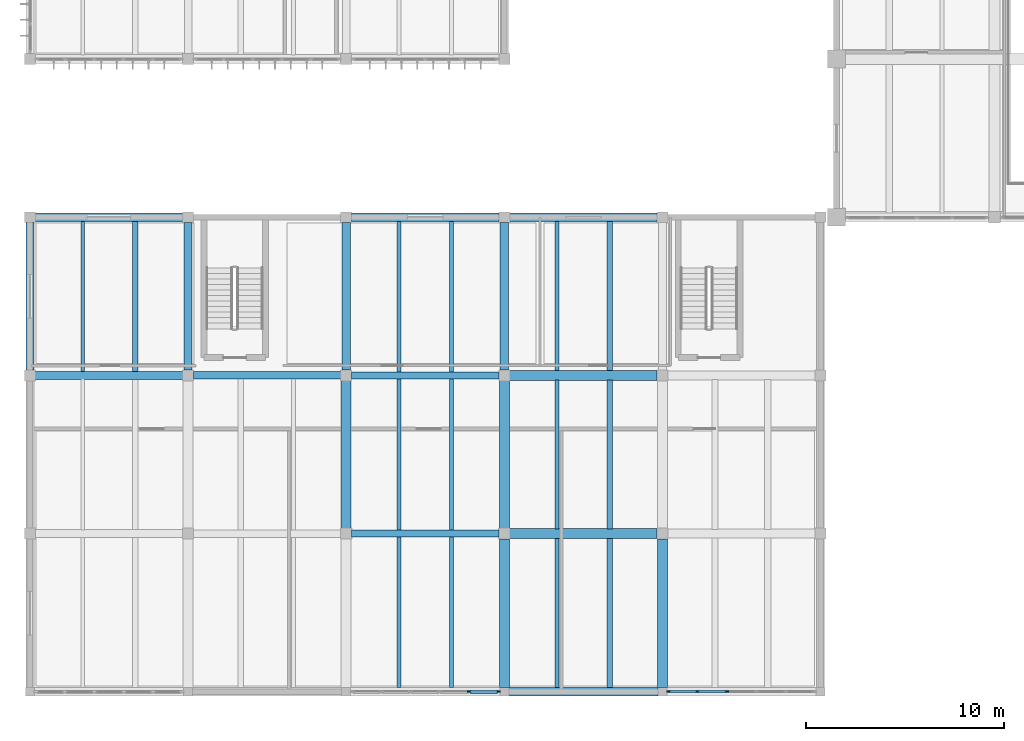
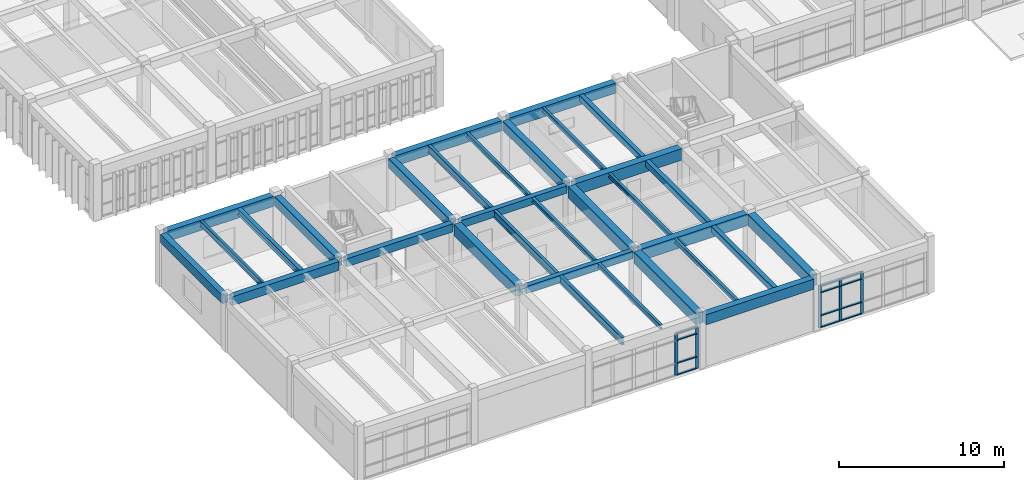
# One storey, part 4 of 67: 32 beams, 17 members, 2 elements without a shape of their own.
"""IFC4 building model written with IfcOpenShell, lengths in metres."""

import ifcopenshell
import ifcopenshell.guid

model = None  # the IFC model being written
_history = None  # IfcOwnerHistory: only IFC2X3 demands one
_inside = {}  # id of a spatial element -> (the spatial element, [elements in it])
_under = {}  # id of a project, library or spatial element -> (it, [spatial elements below it])
_declared = {}  # id of a project -> (the project, [libraries it declares])
_typed = {}  # id of a type object -> (the type object, [elements of that type])
_made_of = {}  # id of a material, layer set ... -> (it, [elements and type objects made of it])


def new_model(schema):
    """Start an empty IFC model of exactly this schema.

    Asked for "IFC4X3", IfcOpenShell would pick the latest addendum, in which some entities
    have other attributes; the version numbers below select the first issue.
    IFC2X3 requires an IfcOwnerHistory on every rooted entity: one is made here for all.
    """
    global model, _history
    if schema == "IFC4X3":
        model = ifcopenshell.file(schema_version=(4, 3, 0, 0))
    else:
        model = ifcopenshell.file(schema=schema)
    _inside.clear()
    _under.clear()
    _declared.clear()
    _typed.clear()
    _made_of.clear()
    _history = None
    if model.schema == "IFC2X3":
        org = make("IfcOrganization", Name="unknown")
        user = make(
            "IfcPersonAndOrganization",
            ThePerson=make("IfcPerson", FamilyName="unknown"),
            TheOrganization=org,
        )
        app = make(
            "IfcApplication",
            ApplicationDeveloper=org,
            Version="unknown",
            ApplicationFullName="unknown",
            ApplicationIdentifier="unknown",
        )
        _history = make(
            "IfcOwnerHistory",
            OwningUser=user,
            OwningApplication=app,
            ChangeAction="ADDED",
            CreationDate=0,
        )
    return model


def make(cls, **values):
    """One entity of the class cls with the attributes given. An attribute that is None is left unset."""
    return model.create_entity(
        cls, **{name: value for name, value in values.items() if value is not None}
    )


def rooted(cls, **values):
    """An entity with a GlobalId (a new one), such as an element, a storey or a relation."""
    return make(cls, GlobalId=ifcopenshell.guid.new(), OwnerHistory=_history, **values)


def si_unit(unit_type, name, prefix=None):
    """IfcSIUnit, for example si_unit("LENGTHUNIT", "METRE", prefix="MILLI")."""
    return make("IfcSIUnit", UnitType=unit_type, Prefix=prefix, Name=name)


def assignment(units):
    """IfcUnitAssignment: the units of a project."""
    return None if units is None else make("IfcUnitAssignment", Units=units)


def point(xyz):
    """IfcCartesianPoint."""
    return None if xyz is None else make("IfcCartesianPoint", Coordinates=xyz)


def direction(xyz):
    """IfcDirection."""
    return None if xyz is None else make("IfcDirection", DirectionRatios=xyz)


def frame(location, z_axis=None, x_axis=None):
    """IfcAxis2Placement3D, a coordinate frame: its origin and axes. An axis left out is left unset."""
    return make(
        "IfcAxis2Placement3D",
        Location=point(location),
        Axis=direction(z_axis),
        RefDirection=direction(x_axis),
    )


def frame_2d(location, x_axis=None):
    """IfcAxis2Placement2D, a coordinate frame in the plane: its origin and x axis."""
    return make(
        "IfcAxis2Placement2D", Location=point(location), RefDirection=direction(x_axis)
    )


def origin():
    """The frame at (0, 0, 0) with its axes left unset."""
    return frame((0.0, 0.0, 0.0))


def origin_2d():
    """The frame at (0, 0) in the plane with its x axis left unset."""
    return frame_2d((0.0, 0.0))


def place(relative_to, where):
    """IfcLocalPlacement: puts the frame where relative to a parent placement (None: the world)."""
    return make(
        "IfcLocalPlacement", PlacementRelTo=relative_to, RelativePlacement=where
    )


def context(
    kind, dimensions, precision=None, world=None, true_north=None, identifier=None
):
    """IfcGeometricRepresentationContext, for example the 3D "Model" context."""
    return make(
        "IfcGeometricRepresentationContext",
        ContextIdentifier=identifier,
        ContextType=kind,
        CoordinateSpaceDimension=dimensions,
        Precision=precision,
        WorldCoordinateSystem=world,
        TrueNorth=true_north,
    )


def subcontext(parent, identifier, kind, view, scale=None):
    """IfcGeometricRepresentationSubContext, for example "Body" below "Model"."""
    return make(
        "IfcGeometricRepresentationSubContext",
        ContextIdentifier=identifier,
        ContextType=kind,
        ParentContext=parent,
        TargetScale=scale,
        TargetView=view,
    )


def project(units=None, contexts=None):
    """IfcProject with its units and contexts."""
    return rooted(
        "IfcProject",
        Name="project",
        RepresentationContexts=contexts,
        UnitsInContext=assignment(units),
    )


def spatial(cls, under=None, at=None, **own):
    """A site, building, storey or space (cls), placed at a placement, below another one or the project."""
    s = rooted(cls, ObjectPlacement=at, **own)
    if under is not None:
        _under.setdefault(under.id(), (under, []))[1].append(s)
    return s


def profile(cls, at=None, kind="AREA", **sizes):
    """A parametric profile (cls). Its sizes go by their IFC names, for example OverallWidth=200.0."""
    return make(cls, ProfileType=kind, Position=at, **sizes)


def rectangle(**sizes):
    """IfcRectangleProfileDef."""
    return profile("IfcRectangleProfileDef", **sizes)


def i_section(**sizes):
    """IfcIShapeProfileDef."""
    return profile("IfcIShapeProfileDef", **sizes)


def extrude(swept, where, along, depth):
    """IfcExtrudedAreaSolid: the profile swept, set in the frame where, extruded along a direction by depth."""
    return make(
        "IfcExtrudedAreaSolid",
        SweptArea=swept,
        Position=where,
        ExtrudedDirection=direction(along),
        Depth=depth,
    )


def shape(context_of_items, identifier, shape_type, items):
    """IfcShapeRepresentation: the items that make up one representation, for example the "Body"."""
    return make(
        "IfcShapeRepresentation",
        ContextOfItems=context_of_items,
        RepresentationIdentifier=identifier,
        RepresentationType=shape_type,
        Items=items,
    )


def material(Name=None, Category=None):
    """IfcMaterial."""
    return make("IfcMaterial", Name=Name, Category=Category)


def material_profile(
    of_material, cross_section, Name=None, Category=None, Priority=None
):
    """IfcMaterialProfile: a cross section and its material."""
    return make(
        "IfcMaterialProfile",
        Name=Name,
        Material=of_material,
        Profile=cross_section,
        Priority=Priority,
        Category=Category,
    )


def profile_set(profiles, Name=None, composite=None):
    """IfcMaterialProfileSet."""
    return make(
        "IfcMaterialProfileSet",
        Name=Name,
        MaterialProfiles=profiles,
        CompositeProfile=composite,
    )


def made_of(thing, what):
    """Note that an element or type object is made of a material, layer set ...; save() writes the relation."""
    if what is not None:
        _made_of.setdefault(what.id(), (what, []))[1].append(thing)
    return thing


def type_object(cls, material=None, **own):
    """A type object (cls), such as IfcWallType, which elements share."""
    return made_of(rooted(cls, **own), material)


def element(
    cls,
    number,
    at=None,
    inside=None,
    cuts=None,
    type_object=None,
    material=None,
    context=None,
    identifier="Body",
    shape_type=None,
    held_by="IfcProductDefinitionShape",
    body=None,
    shapes=None,
    **own,
):
    """One element of the class cls, such as IfcWall. Its Tag is "e" and its number.

    at: its placement. inside: the storey or other place that contains it. cuts: it is an
    opening in that element (IfcRelVoidsElement). A single representation is given by context,
    identifier, shape_type and body (its items); several are given by shapes. held_by: the class
    of the entity that holds the representations. save() writes the other relations.
    """
    e = rooted(cls, Tag="e%d" % number, ObjectPlacement=at, **own)
    if body is not None:
        shapes = [shape(context, identifier, shape_type, body)]
    if shapes is not None:
        e.Representation = make(held_by, Representations=shapes)
    if inside is not None:
        _inside.setdefault(inside.id(), (inside, []))[1].append(e)
    if cuts is not None:
        rooted(
            "IfcRelVoidsElement", RelatingBuildingElement=cuts, RelatedOpeningElement=e
        )
    if type_object is not None:
        _typed.setdefault(type_object.id(), (type_object, []))[1].append(e)
    return made_of(e, material)


def aggregate(whole, parts):
    """IfcRelAggregates: a whole, such as a stair, and the parts it consists of."""
    return rooted("IfcRelAggregates", RelatingObject=whole, RelatedObjects=parts)


def save(model, path):
    """Write the relations noted so far, then the file.

    IfcRelAggregates (storeys below a building ...), IfcRelContainedInSpatialStructure (elements
    in a storey), IfcRelDefinesByType, IfcRelAssociatesMaterial and IfcRelDeclares: one each for
    every whole, place, type object, material and project.
    """
    for whole, parts in _under.values():
        aggregate(whole, parts)
    for where, things in _inside.values():
        rooted(
            "IfcRelContainedInSpatialStructure",
            RelatedElements=things,
            RelatingStructure=where,
        )
    for kind, things in _typed.values():
        rooted("IfcRelDefinesByType", RelatedObjects=things, RelatingType=kind)
    for what, things in _made_of.values():
        rooted("IfcRelAssociatesMaterial", RelatedObjects=things, RelatingMaterial=what)
    for by, libraries in _declared.values():
        rooted("IfcRelDeclares", RelatingContext=by, RelatedDefinitions=libraries)
    model.write(path)


model = new_model("IFC4")

# Units and contexts
model_context = context("Model", 3, precision=1e-05, world=origin(), true_north=direction((0.0, 1.0)))
body_context = subcontext(model_context, "Body", "Model", "MODEL_VIEW")
ifc_project = project(units=[si_unit("LENGTHUNIT", "METRE"), si_unit("AREAUNIT", "SQUARE_METRE"), si_unit("VOLUMEUNIT", "CUBIC_METRE"), si_unit("PLANEANGLEUNIT", "RADIAN"), si_unit("MASSUNIT", "GRAM", prefix="KILO")], contexts=[model_context])

# Site, building, storey
site_placement = place(None, origin())
site = spatial("IfcSite", under=ifc_project, at=site_placement, CompositionType="ELEMENT")
building_placement = place(site_placement, origin())
building = spatial("IfcBuilding", under=site, at=building_placement, Name="Tlaxcora Railside Police Headquarters", CompositionType="ELEMENT")
storey_placement = place(building_placement, frame((0.0, 0.0, 4.800048828125)))
storey = spatial("IfcBuildingStorey", under=building, at=storey_placement, Name="L01", CompositionType="ELEMENT", Elevation=4.800048828125)

# Curtain wall, members
ifc_material_1 = material(Name="Thermally broken low-E insulated glazing", Category="glass")
curtain_wall_type_1 = type_object("IfcCurtainWallType", Name="Unitised Curtain Wall Assembly CW-38", PredefinedType="NOTDEFINED", material=ifc_material_1)
curtain_wall_1_placement = place(storey_placement, origin())
curtain_wall_1 = element("IfcCurtainWall", 1, at=curtain_wall_1_placement, inside=storey, type_object=curtain_wall_type_1, Name="V4 L01 curtain wall 25", PredefinedType="NOTDEFINED")
ifc_material_2 = material(Name="Anodised aluminium framing", Category="aluminium")
ifc_material_profile_1 = material_profile(ifc_material_2, rectangle(XDim=0.074951171875, YDim=0.205078125, at=origin_2d()), Name="AL75X205")
ifc_profile_set_1 = profile_set([ifc_material_profile_1], Name="Anodised aluminium framing")
member_type_1 = type_object("IfcMemberType", Name="Curtain Wall Mullion CW-32", PredefinedType="MULLION", material=ifc_profile_set_1)
member_1_placement = place(storey_placement, frame((27.43505859375, 12.0, 0.0), z_axis=(0.0, 0.0, 1.0), x_axis=(0.0, 1.0, 0.0)))
member_1 = element("IfcMember", 2, at=member_1_placement, type_object=member_type_1, Name="CW mullion 5", PredefinedType="MULLION", context=body_context, shape_type="SweptSolid", body=[
    extrude(rectangle(XDim=0.074951171875, YDim=0.205078125, at=origin_2d()), origin(), (0.0, 0.0, 1.0), 3.139892578125),
])
member_2_placement = place(storey_placement, frame((28.887451171875, 12.0, 0.0), z_axis=(0.0, 0.0, 1.0), x_axis=(0.0, 1.0, 0.0)))
member_2 = element("IfcMember", 3, at=member_2_placement, type_object=member_type_1, Name="CW mullion 6", PredefinedType="MULLION", context=body_context, shape_type="SweptSolid", body=[
    extrude(rectangle(XDim=0.074951171875, YDim=0.205078125, at=origin_2d()), origin(), (0.0, 0.0, 1.0), 3.139892578125),
])

curtain_wall_type_2 = type_object("IfcCurtainWallType", Name="Unitised Curtain Wall Assembly CW-15", PredefinedType="NOTDEFINED", material=ifc_material_1)
curtain_wall_2_placement = place(storey_placement, origin())
curtain_wall_2 = element("IfcCurtainWall", 4, at=curtain_wall_2_placement, inside=storey, type_object=curtain_wall_type_2, Name="V4 L01 curtain wall 26", PredefinedType="NOTDEFINED")
ifc_material_profile_2 = material_profile(ifc_material_2, rectangle(XDim=0.074951171875, YDim=0.199951171875, at=origin_2d()), Name="AL75X200")
ifc_profile_set_2 = profile_set([ifc_material_profile_2], Name="Anodised aluminium framing")
member_type_2 = type_object("IfcMemberType", Name="Curtain Wall Mullion CW-58", PredefinedType="MULLION", material=ifc_profile_set_2)
member_3_placement = place(storey_placement, frame((37.512451171875, 12.0, 0.0), z_axis=(0.0, 0.0, 1.0), x_axis=(0.0, 1.0, 0.0)))
member_3 = element("IfcMember", 5, at=member_3_placement, type_object=member_type_2, Name="CW mullion 1", PredefinedType="MULLION", context=body_context, shape_type="SweptSolid", body=[
    extrude(rectangle(XDim=0.074951171875, YDim=0.199951171875, at=origin_2d()), origin(), (0.0, 0.0, 1.0), 3.139892578125),
])
member_4_placement = place(storey_placement, frame((38.965087890625, 12.0, 0.0), z_axis=(0.0, 0.0, 1.0), x_axis=(0.0, 1.0, 0.0)))
member_4 = element("IfcMember", 6, at=member_4_placement, type_object=member_type_2, Name="CW mullion 2", PredefinedType="MULLION", context=body_context, shape_type="SweptSolid", body=[
    extrude(rectangle(XDim=0.074951171875, YDim=0.199951171875, at=origin_2d()), origin(), (0.0, 0.0, 1.0), 3.139892578125),
])
member_5_placement = place(storey_placement, frame((40.455078125, 12.0, 0.0), z_axis=(0.0, 0.0, 1.0), x_axis=(0.0, 1.0, 0.0)))
member_5 = element("IfcMember", 7, at=member_5_placement, type_object=member_type_2, Name="CW mullion 3", PredefinedType="MULLION", context=body_context, shape_type="SweptSolid", body=[
    extrude(rectangle(XDim=0.074951171875, YDim=0.199951171875, at=origin_2d()), origin(), (0.0, 0.0, 1.0), 3.139892578125),
])
ifc_material_profile_3 = material_profile(ifc_material_2, rectangle(XDim=0.14990234375, YDim=0.074951171875, at=origin_2d()), Name="AL75X150")
ifc_profile_set_3 = profile_set([ifc_material_profile_3], Name="Anodised aluminium framing")
member_type_3 = type_object("IfcMemberType", Name="Curtain Wall Transom CW-28", PredefinedType="USERDEFINED", material=ifc_profile_set_3)
member_6_placement = place(storey_placement, frame((37.550048828125, 12.0, 0.037353515625), z_axis=(1.0, 0.0, 0.0), x_axis=(0.0, 1.0, 0.0)))
member_6 = element("IfcMember", 8, at=member_6_placement, type_object=member_type_3, Name="CW transom 1.1", ObjectType="TRANSOM", PredefinedType="USERDEFINED", context=body_context, shape_type="SweptSolid", body=[
    extrude(rectangle(XDim=0.14990234375, YDim=0.074951171875, at=origin_2d()), origin(), (0.0, 0.0, 1.0), 1.37744140625),
])
member_7_placement = place(storey_placement, frame((37.550048828125, 12.0, 0.89990234375), z_axis=(1.0, 0.0, 0.0), x_axis=(0.0, 1.0, 0.0)))
member_7 = element("IfcMember", 9, at=member_7_placement, type_object=member_type_3, Name="CW transom 1.2", ObjectType="TRANSOM", PredefinedType="USERDEFINED", context=body_context, shape_type="SweptSolid", body=[
    extrude(rectangle(XDim=0.14990234375, YDim=0.074951171875, at=origin_2d()), origin(), (0.0, 0.0, 1.0), 1.37744140625),
])
member_8_placement = place(storey_placement, frame((37.550048828125, 12.0, 2.60986328125), z_axis=(1.0, 0.0, 0.0), x_axis=(0.0, 1.0, 0.0)))
member_8 = element("IfcMember", 10, at=member_8_placement, type_object=member_type_3, Name="CW transom 1.3", ObjectType="TRANSOM", PredefinedType="USERDEFINED", context=body_context, shape_type="SweptSolid", body=[
    extrude(rectangle(XDim=0.14990234375, YDim=0.074951171875, at=origin_2d()), origin(), (0.0, 0.0, 1.0), 1.37744140625),
])
member_9_placement = place(storey_placement, frame((37.550048828125, 12.0, 3.1025390625), z_axis=(1.0, 0.0, 0.0), x_axis=(0.0, 1.0, 0.0)))
member_9 = element("IfcMember", 11, at=member_9_placement, type_object=member_type_3, Name="CW transom 1.4", ObjectType="TRANSOM", PredefinedType="USERDEFINED", context=body_context, shape_type="SweptSolid", body=[
    extrude(rectangle(XDim=0.14990234375, YDim=0.074951171875, at=origin_2d()), origin(), (0.0, 0.0, 1.0), 1.37744140625),
])
member_10_placement = place(storey_placement, frame((39.00244140625, 12.0, 0.037353515625), z_axis=(1.0, 0.0, 0.0), x_axis=(0.0, 1.0, 0.0)))
member_10 = element("IfcMember", 12, at=member_10_placement, type_object=member_type_3, Name="CW transom 2.1", ObjectType="TRANSOM", PredefinedType="USERDEFINED", context=body_context, shape_type="SweptSolid", body=[
    extrude(rectangle(XDim=0.14990234375, YDim=0.074951171875, at=origin_2d()), origin(), (0.0, 0.0, 1.0), 1.4150390625),
])
member_11_placement = place(storey_placement, frame((39.00244140625, 12.0, 0.89990234375), z_axis=(1.0, 0.0, 0.0), x_axis=(0.0, 1.0, 0.0)))
member_11 = element("IfcMember", 13, at=member_11_placement, type_object=member_type_3, Name="CW transom 2.2", ObjectType="TRANSOM", PredefinedType="USERDEFINED", context=body_context, shape_type="SweptSolid", body=[
    extrude(rectangle(XDim=0.14990234375, YDim=0.074951171875, at=origin_2d()), origin(), (0.0, 0.0, 1.0), 1.4150390625),
])
member_12_placement = place(storey_placement, frame((39.00244140625, 12.0, 2.60986328125), z_axis=(1.0, 0.0, 0.0), x_axis=(0.0, 1.0, 0.0)))
member_12 = element("IfcMember", 14, at=member_12_placement, type_object=member_type_3, Name="CW transom 2.3", ObjectType="TRANSOM", PredefinedType="USERDEFINED", context=body_context, shape_type="SweptSolid", body=[
    extrude(rectangle(XDim=0.14990234375, YDim=0.074951171875, at=origin_2d()), origin(), (0.0, 0.0, 1.0), 1.4150390625),
])
member_13_placement = place(storey_placement, frame((39.00244140625, 12.0, 3.1025390625), z_axis=(1.0, 0.0, 0.0), x_axis=(0.0, 1.0, 0.0)))
member_13 = element("IfcMember", 15, at=member_13_placement, type_object=member_type_3, Name="CW transom 2.4", ObjectType="TRANSOM", PredefinedType="USERDEFINED", context=body_context, shape_type="SweptSolid", body=[
    extrude(rectangle(XDim=0.14990234375, YDim=0.074951171875, at=origin_2d()), origin(), (0.0, 0.0, 1.0), 1.4150390625),
])
aggregate(curtain_wall_2, [member_3, member_4, member_5, member_6, member_7, member_8, member_9, member_10, member_11, member_12, member_13])

# Member
ifc_material_profile_4 = material_profile(ifc_material_2, rectangle(XDim=0.155029296875, YDim=0.074951171875, at=origin_2d()), Name="AL75X155")
ifc_profile_set_4 = profile_set([ifc_material_profile_4], Name="Anodised aluminium framing")
member_type_4 = type_object("IfcMemberType", Name="Curtain Wall Transom CW-30", PredefinedType="USERDEFINED", material=ifc_profile_set_4)
member_14_placement = place(storey_placement, frame((27.472412109375, 12.0, 0.037353515625), z_axis=(1.0, 0.0, 0.0), x_axis=(0.0, 1.0, 0.0)))
member_14 = element("IfcMember", 16, at=member_14_placement, type_object=member_type_4, Name="CW transom 5.1", ObjectType="TRANSOM", PredefinedType="USERDEFINED", context=body_context, shape_type="SweptSolid", body=[
    extrude(rectangle(XDim=0.155029296875, YDim=0.074951171875, at=origin_2d()), origin(), (0.0, 0.0, 1.0), 1.377685546875),
])

member_15_placement = place(storey_placement, frame((27.472412109375, 12.0, 0.89990234375), z_axis=(1.0, 0.0, 0.0), x_axis=(0.0, 1.0, 0.0)))
member_15 = element("IfcMember", 17, at=member_15_placement, type_object=member_type_4, Name="CW transom 5.2", ObjectType="TRANSOM", PredefinedType="USERDEFINED", context=body_context, shape_type="SweptSolid", body=[
    extrude(rectangle(XDim=0.155029296875, YDim=0.074951171875, at=origin_2d()), origin(), (0.0, 0.0, 1.0), 1.377685546875),
])

member_16_placement = place(storey_placement, frame((27.472412109375, 12.0, 2.60986328125), z_axis=(1.0, 0.0, 0.0), x_axis=(0.0, 1.0, 0.0)))
member_16 = element("IfcMember", 18, at=member_16_placement, type_object=member_type_4, Name="CW transom 5.3", ObjectType="TRANSOM", PredefinedType="USERDEFINED", context=body_context, shape_type="SweptSolid", body=[
    extrude(rectangle(XDim=0.155029296875, YDim=0.074951171875, at=origin_2d()), origin(), (0.0, 0.0, 1.0), 1.377685546875),
])

member_17_placement = place(storey_placement, frame((27.472412109375, 12.0, 3.1025390625), z_axis=(1.0, 0.0, 0.0), x_axis=(0.0, 1.0, 0.0)))
member_17 = element("IfcMember", 19, at=member_17_placement, type_object=member_type_4, Name="CW transom 5.4", ObjectType="TRANSOM", PredefinedType="USERDEFINED", context=body_context, shape_type="SweptSolid", body=[
    extrude(rectangle(XDim=0.155029296875, YDim=0.074951171875, at=origin_2d()), origin(), (0.0, 0.0, 1.0), 1.377685546875),
])

aggregate(curtain_wall_1, [member_1, member_2, member_14, member_15, member_16, member_17])

# Beams
ifc_material_3 = material(Name="Concrete C40/50", Category="concrete")
ifc_material_profile_5 = material_profile(ifc_material_3, rectangle(XDim=0.39990234375, YDim=0.64990234375, at=origin_2d()), Name="RC400X650")
ifc_profile_set_5 = profile_set([ifc_material_profile_5], Name="Concrete C40/50")
beam_type_1 = type_object("IfcBeamType", Name="Perimeter Spandrel Beam BM-46", PredefinedType="SPANDREL", material=ifc_profile_set_5)
beam_1_placement = place(storey_placement, frame((5.199951171875, 28.264892578125, 3.5849609375), z_axis=(0.0, 1.0, 0.0), x_axis=(-1.0, 0.0, 0.0)))
element("IfcBeam", 20, at=beam_1_placement, inside=storey, type_object=beam_type_1, Name="V4 L01 Y-girder X=5.2", PredefinedType="SPANDREL", context=body_context, shape_type="SweptSolid", body=[
    extrude(rectangle(XDim=0.39990234375, YDim=0.64990234375, at=origin_2d()), origin(), (0.0, 0.0, 1.0), 7.47021484375),
])
ifc_material_profile_6 = material_profile(ifc_material_3, rectangle(XDim=0.449951171875, YDim=0.75, at=origin_2d()), Name="RC450X750")
ifc_profile_set_6 = profile_set([ifc_material_profile_6], Name="Concrete C40/50")
beam_type_2 = type_object("IfcBeamType", Name="Perimeter Spandrel Beam BM-86", PredefinedType="SPANDREL", material=ifc_profile_set_6)
beam_2_placement = place(storey_placement, frame((29.4150390625, 12.0, 3.534912109375), z_axis=(1.0, 0.0, 0.0), x_axis=(0.0, 1.0, 0.0)))
element("IfcBeam", 21, at=beam_2_placement, inside=storey, type_object=beam_type_2, Name="V4 L01 X-girder Y=12.0", PredefinedType="SPANDREL", context=body_context, shape_type="SweptSolid", body=[
    extrude(rectangle(XDim=0.449951171875, YDim=0.75, at=origin_2d()), origin(), (0.0, 0.0, 1.0), 7.570068359375),
])
for number, where, z_axis, x_axis, name in (
    (22, (5.465087890625, 36.0, 3.534912109375), (1.0, 0.0, 0.0), (0.0, 1.0, 0.0), "V4 L01 X-girder Y=36.0"),
    (23, (21.465087890625, 36.0, 3.534912109375), (1.0, 0.0, 0.0), (0.0, 1.0, 0.0), "V4 L01 X-girder Y=36.0"),
    (24, (29.465087890625, 36.0, 3.534912109375), (1.0, 0.0, 0.0), (0.0, 1.0, 0.0), "V4 L01 X-girder Y=36.0"),
):
    element("IfcBeam", number, at=place(storey_placement, frame(where, z_axis=z_axis, x_axis=x_axis)), inside=storey, type_object=beam_type_2, Name=name, PredefinedType="SPANDREL", context=body_context, shape_type="SweptSolid", body=[
        extrude(rectangle(XDim=0.449951171875, YDim=0.75, at=origin_2d()), origin(), (0.0, 0.0, 1.0), 7.469970703125),
    ])
ifc_material_profile_7 = material_profile(ifc_material_3, rectangle(XDim=0.3798828125, YDim=0.60009765625, at=origin_2d()), Name="RC380X600")
ifc_profile_set_7 = profile_set([ifc_material_profile_7], Name="Concrete C40/50")
beam_type_3 = type_object("IfcBeamType", Name="Primary Frame Girder BM-22", PredefinedType="BEAM", material=ifc_profile_set_7)
beam_3_placement = place(storey_placement, frame((13.465087890625, 28.0, 3.60986328125), z_axis=(1.0, 0.0, 0.0), x_axis=(0.0, 1.0, 0.0)))
element("IfcBeam", 25, at=beam_3_placement, inside=storey, type_object=beam_type_3, Name="V4 L01 X-girder Y=28.0", PredefinedType="BEAM", context=body_context, shape_type="SweptSolid", body=[
    extrude(rectangle(XDim=0.3798828125, YDim=0.60009765625, at=origin_2d()), origin(), (0.0, 0.0, 1.0), 7.469970703125),
])
ifc_material_profile_8 = material_profile(ifc_material_3, rectangle(XDim=0.419921875, YDim=0.699951171875, at=origin_2d()), Name="RC420X700")
ifc_profile_set_8 = profile_set([ifc_material_profile_8], Name="Concrete C40/50")
beam_type_4 = type_object("IfcBeamType", Name="Primary Frame Girder BM-35", PredefinedType="BEAM", material=ifc_profile_set_8)
for number, where, z_axis, x_axis, name in (
    (26, (13.199951171875, 28.264892578125, 3.56005859375), (0.0, 1.0, 0.0), (-1.0, 0.0, 0.0), "V4 L01 Y-girder X=13.2"),
    (27, (21.199951171875, 28.264892578125, 3.56005859375), (0.0, 1.0, 0.0), (-1.0, 0.0, 0.0), "V4 L01 Y-girder X=21.2"),
    (28, (29.199951171875, 28.264892578125, 3.56005859375), (0.0, 1.0, 0.0), (-1.0, 0.0, 0.0), "V4 L01 Y-girder X=29.2"),
):
    element("IfcBeam", number, at=place(storey_placement, frame(where, z_axis=z_axis, x_axis=x_axis)), inside=storey, type_object=beam_type_4, Name=name, PredefinedType="BEAM", context=body_context, shape_type="SweptSolid", body=[
        extrude(rectangle(XDim=0.419921875, YDim=0.699951171875, at=origin_2d()), origin(), (0.0, 0.0, 1.0), 7.47021484375),
    ])
ifc_material_profile_9 = material_profile(ifc_material_3, rectangle(XDim=0.35009765625, YDim=0.550048828125, at=origin_2d()), Name="RC350X550")
ifc_profile_set_9 = profile_set([ifc_material_profile_9], Name="Concrete C40/50")
beam_type_5 = type_object("IfcBeamType", Name="Primary Frame Girder BM-39", PredefinedType="BEAM", material=ifc_profile_set_9)
for number, where, z_axis, x_axis, name in (
    (29, (21.465087890625, 20.0, 3.635009765625), (1.0, 0.0, 0.0), (0.0, 1.0, 0.0), "V4 L01 X-girder Y=20.0"),
    (30, (21.465087890625, 28.0, 3.635009765625), (1.0, 0.0, 0.0), (0.0, 1.0, 0.0), "V4 L01 X-girder Y=28.0"),
):
    element("IfcBeam", number, at=place(storey_placement, frame(where, z_axis=z_axis, x_axis=x_axis)), inside=storey, type_object=beam_type_5, Name=name, PredefinedType="BEAM", context=body_context, shape_type="SweptSolid", body=[
        extrude(rectangle(XDim=0.35009765625, YDim=0.550048828125, at=origin_2d()), origin(), (0.0, 0.0, 1.0), 7.469970703125),
    ])
ifc_material_profile_10 = material_profile(ifc_material_3, rectangle(XDim=0.39990234375, YDim=0.64990234375, at=origin_2d()), Name="RC400X650")
ifc_profile_set_10 = profile_set([ifc_material_profile_10], Name="Concrete C40/50")
beam_type_6 = type_object("IfcBeamType", Name="Primary Frame Girder BM-41", PredefinedType="BEAM", material=ifc_profile_set_10)
beam_4_placement = place(storey_placement, frame((5.465087890625, 28.0, 3.5849609375), z_axis=(1.0, 0.0, 0.0), x_axis=(0.0, 1.0, 0.0)))
element("IfcBeam", 31, at=beam_4_placement, inside=storey, type_object=beam_type_6, Name="V4 L01 X-girder Y=28.0", PredefinedType="BEAM", context=body_context, shape_type="SweptSolid", body=[
    extrude(rectangle(XDim=0.39990234375, YDim=0.64990234375, at=origin_2d()), origin(), (0.0, 0.0, 1.0), 7.469970703125),
])
ifc_material_profile_11 = material_profile(ifc_material_3, rectangle(XDim=0.5, YDim=0.85009765625, at=origin_2d()), Name="RC500X850")
ifc_profile_set_11 = profile_set([ifc_material_profile_11], Name="Concrete C40/50")
beam_type_7 = type_object("IfcBeamType", Name="Primary Frame Girder BM-64", PredefinedType="BEAM", material=ifc_profile_set_11)
for number, where, z_axis, x_axis, name in (
    (32, (29.465087890625, 20.0, 3.48486328125), (1.0, 0.0, 0.0), (0.0, 1.0, 0.0), "V4 L01 X-girder Y=20.0"),
    (33, (29.465087890625, 28.0, 3.48486328125), (1.0, 0.0, 0.0), (0.0, 1.0, 0.0), "V4 L01 X-girder Y=28.0"),
):
    element("IfcBeam", number, at=place(storey_placement, frame(where, z_axis=z_axis, x_axis=x_axis)), inside=storey, type_object=beam_type_7, Name=name, PredefinedType="BEAM", context=body_context, shape_type="SweptSolid", body=[
        extrude(rectangle(XDim=0.5, YDim=0.85009765625, at=origin_2d()), origin(), (0.0, 0.0, 1.0), 7.469970703125),
    ])
beam_5_placement = place(storey_placement, frame((21.199951171875, 20.264892578125, 3.48486328125), z_axis=(0.0, 1.0, 0.0), x_axis=(-1.0, 0.0, 0.0)))
element("IfcBeam", 34, at=beam_5_placement, inside=storey, type_object=beam_type_7, Name="V4 L01 Y-girder X=21.2", PredefinedType="BEAM", context=body_context, shape_type="SweptSolid", body=[
    extrude(rectangle(XDim=0.5, YDim=0.85009765625, at=origin_2d()), origin(), (0.0, 0.0, 1.0), 7.47021484375),
])
beam_6_placement = place(storey_placement, frame((29.199951171875, 12.215087890625, 3.48486328125), z_axis=(0.0, 1.0, 0.0), x_axis=(-1.0, 0.0, 0.0)))
element("IfcBeam", 35, at=beam_6_placement, inside=storey, type_object=beam_type_7, Name="V4 L01 Y-girder X=29.2", PredefinedType="BEAM", context=body_context, shape_type="SweptSolid", body=[
    extrude(rectangle(XDim=0.5, YDim=0.85009765625, at=origin_2d()), origin(), (0.0, 0.0, 1.0), 7.52001953125),
])
beam_7_placement = place(storey_placement, frame((29.199951171875, 20.264892578125, 3.48486328125), z_axis=(0.0, 1.0, 0.0), x_axis=(-1.0, 0.0, 0.0)))
element("IfcBeam", 36, at=beam_7_placement, inside=storey, type_object=beam_type_7, Name="V4 L01 Y-girder X=29.2", PredefinedType="BEAM", context=body_context, shape_type="SweptSolid", body=[
    extrude(rectangle(XDim=0.5, YDim=0.85009765625, at=origin_2d()), origin(), (0.0, 0.0, 1.0), 7.47021484375),
])
beam_8_placement = place(storey_placement, frame((37.199951171875, 12.215087890625, 3.48486328125), z_axis=(0.0, 1.0, 0.0), x_axis=(-1.0, 0.0, 0.0)))
element("IfcBeam", 37, at=beam_8_placement, inside=storey, type_object=beam_type_7, Name="V4 L01 Y-girder X=37.2", PredefinedType="BEAM", context=body_context, shape_type="SweptSolid", body=[
    extrude(rectangle(XDim=0.5, YDim=0.85009765625, at=origin_2d()), origin(), (0.0, 0.0, 1.0), 7.52001953125),
])
ifc_material_4 = material(Name="Concrete C35/45", Category="concrete")
ifc_material_profile_12 = material_profile(ifc_material_4, rectangle(XDim=0.300048828125, YDim=0.449951171875, at=origin_2d()), Name="RC300X450")
ifc_profile_set_12 = profile_set([ifc_material_profile_12], Name="Concrete C35/45")
beam_type_8 = type_object("IfcBeamType", Name="Secondary Floor Joist BM-27", PredefinedType="JOIST", material=ifc_profile_set_12)
beam_9_placement = place(storey_placement, frame((34.533203125, 12.217041015625, 3.68505859375), z_axis=(0.0, 1.0, 0.0), x_axis=(-1.0, 0.0, 0.0)))
element("IfcBeam", 38, at=beam_9_placement, inside=storey, type_object=beam_type_8, Name="V4 L01 floor joist X=34.53", PredefinedType="JOIST", context=body_context, shape_type="SweptSolid", body=[
    extrude(rectangle(XDim=0.300048828125, YDim=0.449951171875, at=origin_2d()), origin(), (0.0, 0.0, 1.0), 7.541015625),
])
beam_10_placement = place(storey_placement, frame((34.533203125, 20.241943359375, 3.68505859375), z_axis=(0.0, 1.0, 0.0), x_axis=(-1.0, 0.0, 0.0)))
element("IfcBeam", 39, at=beam_10_placement, inside=storey, type_object=beam_type_8, Name="V4 L01 floor joist X=34.53", PredefinedType="JOIST", context=body_context, shape_type="SweptSolid", body=[
    extrude(rectangle(XDim=0.300048828125, YDim=0.449951171875, at=origin_2d()), origin(), (0.0, 0.0, 1.0), 7.51611328125),
])
beam_11_placement = place(storey_placement, frame((34.533203125, 28.241943359375, 3.68505859375), z_axis=(0.0, 1.0, 0.0), x_axis=(-1.0, 0.0, 0.0)))
element("IfcBeam", 40, at=beam_11_placement, inside=storey, type_object=beam_type_8, Name="V4 L01 floor joist X=34.53", PredefinedType="JOIST", context=body_context, shape_type="SweptSolid", body=[
    extrude(rectangle(XDim=0.300048828125, YDim=0.449951171875, at=origin_2d()), origin(), (0.0, 0.0, 1.0), 7.541015625),
])
ifc_material_5 = material(Name="Steel ASTM A992 Grade 50", Category="steel")
ifc_material_profile_13 = material_profile(ifc_material_5, i_section(OverallWidth=0.280029296875, OverallDepth=0.4619140625, WebThickness=0.0107421875, FlangeThickness=0.017333984375, at=origin_2d()), Name="W18X76")
ifc_profile_set_13 = profile_set([ifc_material_profile_13], Name="Steel ASTM A992 Grade 50")
beam_type_9 = type_object("IfcBeamType", Name="Secondary Floor Joist BM-44", PredefinedType="JOIST", material=ifc_profile_set_13)
beam_12_placement = place(storey_placement, frame((10.533203125, 28.19189453125, 3.678955078125), z_axis=(0.0, 1.0, 0.0), x_axis=(-1.0, 0.0, 0.0)))
element("IfcBeam", 41, at=beam_12_placement, inside=storey, type_object=beam_type_9, Name="V4 L01 floor joist X=10.53", PredefinedType="JOIST", context=body_context, shape_type="SweptSolid", body=[
    extrude(i_section(OverallWidth=0.280029296875, OverallDepth=0.4619140625, WebThickness=0.0107421875, FlangeThickness=0.017333984375, at=origin_2d()), origin(), (0.0, 0.0, 1.0), 7.591064453125),
])
ifc_material_profile_14 = material_profile(ifc_material_5, i_section(OverallWidth=0.180908203125, OverallDepth=0.4169921875, WebThickness=0.010009765625, FlangeThickness=0.018310546875, at=origin_2d()), Name="W16X57")
ifc_profile_set_14 = profile_set([ifc_material_profile_14], Name="Steel ASTM A992 Grade 50")
beam_type_10 = type_object("IfcBeamType", Name="Secondary Floor Joist BM-84", PredefinedType="JOIST", material=ifc_profile_set_14)
beam_13_placement = place(storey_placement, frame((7.86669921875, 28.19189453125, 3.701416015625), z_axis=(0.0, 1.0, 0.0), x_axis=(-1.0, 0.0, 0.0)))
element("IfcBeam", 42, at=beam_13_placement, inside=storey, type_object=beam_type_10, Name="V4 L01 floor joist X=7.87", PredefinedType="JOIST", context=body_context, shape_type="SweptSolid", body=[
    extrude(i_section(OverallWidth=0.180908203125, OverallDepth=0.4169921875, WebThickness=0.010009765625, FlangeThickness=0.018310546875, at=origin_2d()), origin(), (0.0, 0.0, 1.0), 7.591064453125),
])
ifc_material_profile_15 = material_profile(ifc_material_5, i_section(OverallWidth=0.202880859375, OverallDepth=0.302978515625, WebThickness=0.007568359375, FlangeThickness=0.01318359375, at=origin_2d()), Name="W12X40")
ifc_profile_set_15 = profile_set([ifc_material_profile_15], Name="Steel ASTM A992 Grade 50")
beam_type_11 = type_object("IfcBeamType", Name="Secondary Floor Joist BM-96", PredefinedType="JOIST", material=ifc_profile_set_15)
beam_14_placement = place(storey_placement, frame((26.533203125, 12.217041015625, 3.758544921875), z_axis=(0.0, 1.0, 0.0), x_axis=(-1.0, 0.0, 0.0)))
element("IfcBeam", 43, at=beam_14_placement, inside=storey, type_object=beam_type_11, Name="V4 L01 floor joist X=26.53", PredefinedType="JOIST", context=body_context, shape_type="SweptSolid", body=[
    extrude(i_section(OverallWidth=0.202880859375, OverallDepth=0.302978515625, WebThickness=0.007568359375, FlangeThickness=0.01318359375, at=origin_2d()), origin(), (0.0, 0.0, 1.0), 7.615966796875),
])
beam_15_placement = place(storey_placement, frame((31.86669921875, 12.217041015625, 3.758544921875), z_axis=(0.0, 1.0, 0.0), x_axis=(-1.0, 0.0, 0.0)))
element("IfcBeam", 44, at=beam_15_placement, inside=storey, type_object=beam_type_11, Name="V4 L01 floor joist X=31.87", PredefinedType="JOIST", context=body_context, shape_type="SweptSolid", body=[
    extrude(i_section(OverallWidth=0.202880859375, OverallDepth=0.302978515625, WebThickness=0.007568359375, FlangeThickness=0.01318359375, at=origin_2d()), origin(), (0.0, 0.0, 1.0), 7.541015625),
])
beam_16_placement = place(storey_placement, frame((26.533203125, 20.1669921875, 3.758544921875), z_axis=(0.0, 1.0, 0.0), x_axis=(-1.0, 0.0, 0.0)))
element("IfcBeam", 45, at=beam_16_placement, inside=storey, type_object=beam_type_11, Name="V4 L01 floor joist X=26.53", PredefinedType="JOIST", context=body_context, shape_type="SweptSolid", body=[
    extrude(i_section(OverallWidth=0.202880859375, OverallDepth=0.302978515625, WebThickness=0.007568359375, FlangeThickness=0.01318359375, at=origin_2d()), origin(), (0.0, 0.0, 1.0), 7.666015625),
])
beam_17_placement = place(storey_placement, frame((31.86669921875, 20.241943359375, 3.758544921875), z_axis=(0.0, 1.0, 0.0), x_axis=(-1.0, 0.0, 0.0)))
element("IfcBeam", 46, at=beam_17_placement, inside=storey, type_object=beam_type_11, Name="V4 L01 floor joist X=31.87", PredefinedType="JOIST", context=body_context, shape_type="SweptSolid", body=[
    extrude(i_section(OverallWidth=0.202880859375, OverallDepth=0.302978515625, WebThickness=0.007568359375, FlangeThickness=0.01318359375, at=origin_2d()), origin(), (0.0, 0.0, 1.0), 7.51611328125),
])
beam_18_placement = place(storey_placement, frame((26.533203125, 28.1669921875, 3.758544921875), z_axis=(0.0, 1.0, 0.0), x_axis=(-1.0, 0.0, 0.0)))
element("IfcBeam", 47, at=beam_18_placement, inside=storey, type_object=beam_type_11, Name="V4 L01 floor joist X=26.53", PredefinedType="JOIST", context=body_context, shape_type="SweptSolid", body=[
    extrude(i_section(OverallWidth=0.202880859375, OverallDepth=0.302978515625, WebThickness=0.007568359375, FlangeThickness=0.01318359375, at=origin_2d()), origin(), (0.0, 0.0, 1.0), 7.615966796875),
])
beam_19_placement = place(storey_placement, frame((31.86669921875, 28.241943359375, 3.758544921875), z_axis=(0.0, 1.0, 0.0), x_axis=(-1.0, 0.0, 0.0)))
element("IfcBeam", 48, at=beam_19_placement, inside=storey, type_object=beam_type_11, Name="V4 L01 floor joist X=31.87", PredefinedType="JOIST", context=body_context, shape_type="SweptSolid", body=[
    extrude(i_section(OverallWidth=0.202880859375, OverallDepth=0.302978515625, WebThickness=0.007568359375, FlangeThickness=0.01318359375, at=origin_2d()), origin(), (0.0, 0.0, 1.0), 7.541015625),
])
ifc_material_profile_16 = material_profile(ifc_material_5, i_section(OverallWidth=0.214111328125, OverallDepth=0.549072265625, WebThickness=0.0146484375, FlangeThickness=0.023681640625, at=origin_2d()), Name="W21X93")
ifc_profile_set_16 = profile_set([ifc_material_profile_16], Name="Steel ASTM A992 Grade 50")
beam_type_12 = type_object("IfcBeamType", Name="Secondary Floor Joist BM-97", PredefinedType="JOIST", material=ifc_profile_set_16)
beam_20_placement = place(storey_placement, frame((23.86669921875, 12.217041015625, 3.635498046875), z_axis=(0.0, 1.0, 0.0), x_axis=(-1.0, 0.0, 0.0)))
element("IfcBeam", 49, at=beam_20_placement, inside=storey, type_object=beam_type_12, Name="V4 L01 floor joist X=23.87", PredefinedType="JOIST", context=body_context, shape_type="SweptSolid", body=[
    extrude(i_section(OverallWidth=0.214111328125, OverallDepth=0.549072265625, WebThickness=0.0146484375, FlangeThickness=0.023681640625, at=origin_2d()), origin(), (0.0, 0.0, 1.0), 7.615966796875),
])
beam_21_placement = place(storey_placement, frame((23.86669921875, 20.1669921875, 3.635498046875), z_axis=(0.0, 1.0, 0.0), x_axis=(-1.0, 0.0, 0.0)))
element("IfcBeam", 50, at=beam_21_placement, inside=storey, type_object=beam_type_12, Name="V4 L01 floor joist X=23.87", PredefinedType="JOIST", context=body_context, shape_type="SweptSolid", body=[
    extrude(i_section(OverallWidth=0.214111328125, OverallDepth=0.549072265625, WebThickness=0.0146484375, FlangeThickness=0.023681640625, at=origin_2d()), origin(), (0.0, 0.0, 1.0), 7.666015625),
])
beam_22_placement = place(storey_placement, frame((23.86669921875, 28.1669921875, 3.635498046875), z_axis=(0.0, 1.0, 0.0), x_axis=(-1.0, 0.0, 0.0)))
element("IfcBeam", 51, at=beam_22_placement, inside=storey, type_object=beam_type_12, Name="V4 L01 floor joist X=23.87", PredefinedType="JOIST", context=body_context, shape_type="SweptSolid", body=[
    extrude(i_section(OverallWidth=0.214111328125, OverallDepth=0.549072265625, WebThickness=0.0146484375, FlangeThickness=0.023681640625, at=origin_2d()), origin(), (0.0, 0.0, 1.0), 7.615966796875),
])

save(model, "model.ifc")
